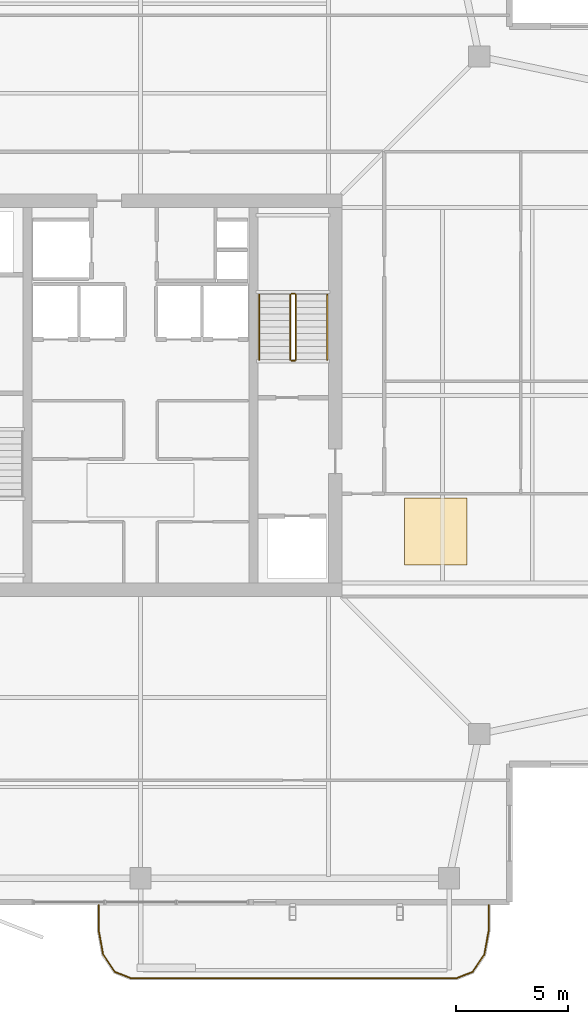
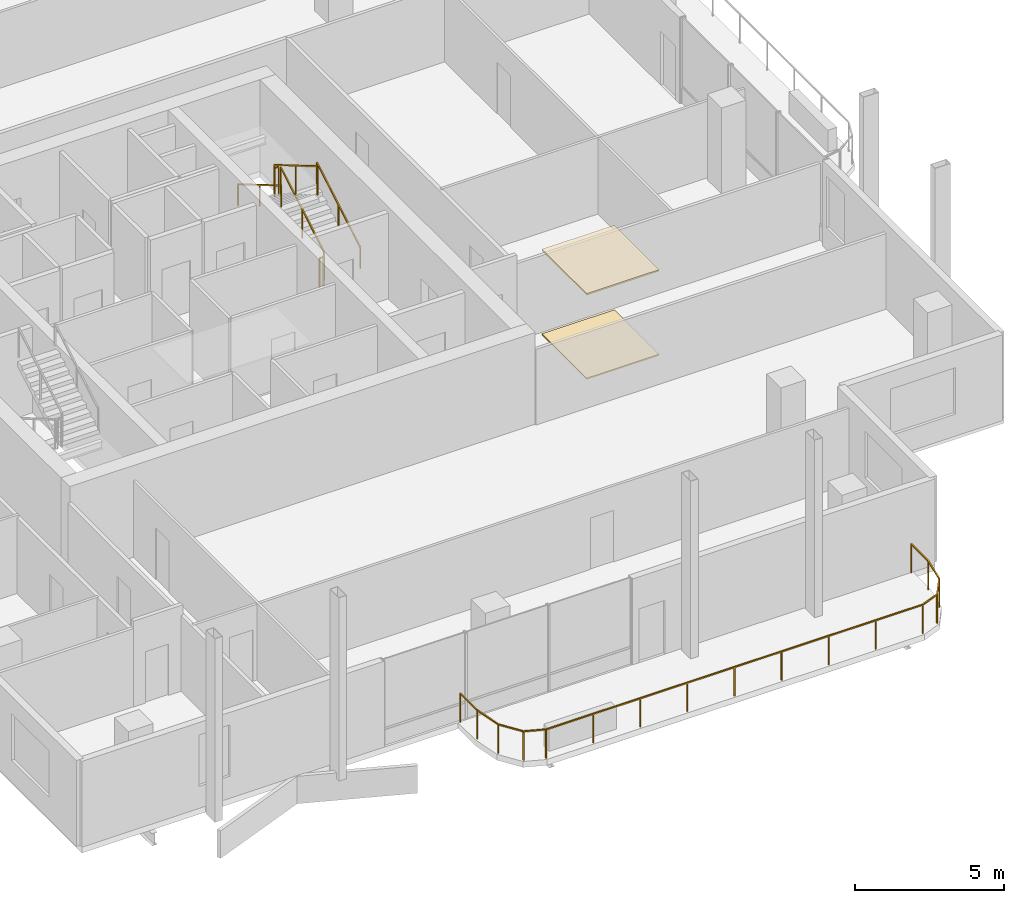
# One storey, part 19 of 20: 7 railings, 2 coverings.
"""IFC4 building model written with IfcOpenShell, lengths in metres."""

from ifc_helpers import new_model, si_unit, direction, frame, origin, origin_2d, place, context, subcontext, project, spatial, polyline, rectangle, outline, extrude, material, layer, layer_set, type_object, element, save


model = new_model("IFC4")

# Units and contexts
model_context = context("Model", 3, precision=1e-05, world=origin(), true_north=direction((0.0, 1.0)))
body_context = subcontext(model_context, "Body", "Model", "MODEL_VIEW")
ifc_project = project(units=[si_unit("LENGTHUNIT", "METRE"), si_unit("AREAUNIT", "SQUARE_METRE"), si_unit("VOLUMEUNIT", "CUBIC_METRE"), si_unit("PLANEANGLEUNIT", "RADIAN"), si_unit("MASSUNIT", "GRAM", prefix="KILO")], contexts=[model_context])

# Site, building, storey
site_placement = place(None, origin())
site = spatial("IfcSite", under=ifc_project, at=site_placement, CompositionType="ELEMENT")
building_placement = place(site_placement, origin())
building = spatial("IfcBuilding", under=site, at=building_placement, Name="Belovzor Exchange Tower", CompositionType="ELEMENT")
storey_placement = place(building_placement, frame((0.0, 0.0, 321.75)))
storey = spatial("IfcBuildingStorey", under=building, at=storey_placement, Name="L80", CompositionType="ELEMENT", Elevation=321.75)

# Railings
ifc_material_1 = material(Name="Stainless Steel Grade 304", Category="steel")
railing_type_1 = type_object("IfcRailingType", Name="Brushed Stainless Steel Stair Handrail 900", PredefinedType="HANDRAIL", material=ifc_material_1)
railing_1_placement = place(storey_placement, frame((37.14990234375, 30.39990234375, 0.17041015625)))
element("IfcRailing", 1, at=railing_1_placement, inside=storey, type_object=railing_type_1, Name="L80 ST-2 stair handrail 1", PredefinedType="HANDRAIL", context=body_context, shape_type="SweptSolid", body=[
    extrude(rectangle(XDim=0.048095703125, YDim=0.048095703125, at=origin_2d()), frame((0.0, 0.0, 0.8759765625), z_axis=(0.0, 0.862113265706, 0.506715617574), x_axis=(-1.0, 0.0, 0.0)), (0.0, 0.0, 1.0), 3.364013671875),
    extrude(rectangle(XDim=0.0419921875, YDim=0.0419921875, at=origin_2d()), origin(), (0.0, 0.0, 1.0), 0.851806640625),
    extrude(rectangle(XDim=0.0419921875, YDim=0.0419921875, at=origin_2d()), frame((0.0, 1.4501953125, 0.852294921875)), (0.0, 0.0, 1.0), 0.851806640625),
    extrude(rectangle(XDim=0.0419921875, YDim=0.0419921875, at=origin_2d()), frame((0.0, 2.900146484375, 1.70458984375)), (0.0, 0.0, 1.0), 0.851806640625),
])
railing_2_placement = place(storey_placement, frame((34.10009765625, 33.300048828125, 2.04541015625)))
element("IfcRailing", 2, at=railing_2_placement, inside=storey, type_object=railing_type_1, Name="L80 ST-2 stair handrail 2", PredefinedType="HANDRAIL", context=body_context, shape_type="SweptSolid", body=[
    extrude(rectangle(XDim=0.048095703125, YDim=0.048095703125, at=origin_2d()), frame((0.0, 0.0, 0.8759765625), z_axis=(0.0, -0.862113265706, 0.506715617574), x_axis=(1.0, 0.0, 0.0)), (0.0, 0.0, 1.0), 3.364013671875),
    extrude(rectangle(XDim=0.0419921875, YDim=0.0419921875, at=origin_2d()), origin(), (0.0, 0.0, 1.0), 0.851806640625),
    extrude(rectangle(XDim=0.0419921875, YDim=0.0419921875, at=origin_2d()), frame((0.0, -1.4501953125, 0.852294921875)), (0.0, 0.0, 1.0), 0.851806640625),
    extrude(rectangle(XDim=0.0419921875, YDim=0.0419921875, at=origin_2d()), frame((0.0, -2.900146484375, 1.70458984375)), (0.0, 0.0, 1.0), 0.851806640625),
])
ifc_material_2 = material(Name="Stainless Steel and Laminated Safety Glass", Category="steel")
railing_type_2 = type_object("IfcRailingType", Name="Laminated Glass & Stainless Steel Balcony Balustrade 1200", PredefinedType="BALUSTRADE", material=ifc_material_2)
railing_3_placement = place(storey_placement, frame((26.929931640625, 5.989990234375, 0.0)))
element("IfcRailing", 3, at=railing_3_placement, inside=storey, type_object=railing_type_2, Name="GR-1 Balcony Balustrade L80 South", PredefinedType="BALUSTRADE", context=body_context, shape_type="SweptSolid", body=[
    extrude(rectangle(XDim=0.048095703125, YDim=0.048095703125, at=origin_2d()), frame((0.0, 0.0, 1.17578125), z_axis=(0.0, -1.0, 0.0), x_axis=(1.0, 0.0, 0.0)), (0.0, 0.0, 1.0), 1.133056640625),
    extrude(rectangle(XDim=0.048095703125, YDim=0.048095703125, at=origin_2d()), frame((0.0, -1.133056640625, 1.17578125), z_axis=(0.180122719713, -0.983644145941, 0.0), x_axis=(0.983644145941, 0.180122719713, 0.0)), (0.0, 0.0, 1.0), 1.09375),
    extrude(rectangle(XDim=0.048095703125, YDim=0.048095703125, at=origin_2d()), frame((0.197021484375, -2.208984375, 1.17578125), z_axis=(0.56294695933, -0.826493025367, 0.0), x_axis=(0.826493025367, 0.56294695933, 0.0)), (0.0, 0.0, 1.0), 0.932861328125),
    extrude(rectangle(XDim=0.048095703125, YDim=0.048095703125, at=origin_2d()), frame((0.72216796875, -2.97998046875, 1.17578125), z_axis=(0.930766990125, -0.365612923861, 0.0), x_axis=(0.365612923861, 0.930766990125, 0.0)), (0.0, 0.0, 1.0), 0.765869140625),
    extrude(rectangle(XDim=0.048095703125, YDim=0.048095703125, at=origin_2d()), frame((1.43505859375, -3.260009765625, 1.17578125), z_axis=(1.0, 0.0, 0.0), x_axis=(0.0, 1.0, 0.0)), (0.0, 0.0, 1.0), 14.570068359375),
    extrude(rectangle(XDim=0.048095703125, YDim=0.048095703125, at=origin_2d()), frame((16.005126953125, -3.260009765625, 1.17578125), z_axis=(0.930766990125, 0.365612923861, 0.0), x_axis=(-0.365612923861, 0.930766990125, 0.0)), (0.0, 0.0, 1.0), 0.765869140625),
    extrude(rectangle(XDim=0.048095703125, YDim=0.048095703125, at=origin_2d()), frame((16.718017578125, -2.97998046875, 1.17578125), z_axis=(0.56294695933, 0.826493025367, 0.0), x_axis=(-0.826493025367, 0.56294695933, 0.0)), (0.0, 0.0, 1.0), 0.932861328125),
    extrude(rectangle(XDim=0.048095703125, YDim=0.048095703125, at=origin_2d()), frame((17.2431640625, -2.208984375, 1.17578125), z_axis=(0.180122719713, 0.983644145941, 0.0), x_axis=(-0.983644145941, 0.180122719713, 0.0)), (0.0, 0.0, 1.0), 1.09375),
    extrude(rectangle(XDim=0.048095703125, YDim=0.048095703125, at=origin_2d()), frame((17.440185546875, -1.133056640625, 1.17578125), z_axis=(0.0, 1.0, 0.0), x_axis=(-1.0, 0.0, 0.0)), (0.0, 0.0, 1.0), 1.133056640625),
    extrude(rectangle(XDim=0.0419921875, YDim=0.0419921875, at=origin_2d()), origin(), (0.0, 0.0, 1.0), 1.15185546875),
    extrude(rectangle(XDim=0.0419921875, YDim=0.0419921875, at=origin_2d()), frame((0.0, -1.133056640625, 0.0)), (0.0, 0.0, 1.0), 1.15185546875),
    extrude(rectangle(XDim=0.0419921875, YDim=0.0419921875, at=origin_2d()), frame((0.197021484375, -2.208984375, 0.0)), (0.0, 0.0, 1.0), 1.15185546875),
    extrude(rectangle(XDim=0.0419921875, YDim=0.0419921875, at=origin_2d()), frame((0.72216796875, -2.97998046875, 0.0)), (0.0, 0.0, 1.0), 1.15185546875),
    extrude(rectangle(XDim=0.0419921875, YDim=0.0419921875, at=origin_2d()), frame((1.43505859375, -3.260009765625, 0.0)), (0.0, 0.0, 1.0), 1.15185546875),
    extrude(rectangle(XDim=0.0419921875, YDim=0.0419921875, at=origin_2d()), frame((3.25634765625, -3.260009765625, 0.0)), (0.0, 0.0, 1.0), 1.15185546875),
    extrude(rectangle(XDim=0.0419921875, YDim=0.0419921875, at=origin_2d()), frame((5.07763671875, -3.260009765625, 0.0)), (0.0, 0.0, 1.0), 1.15185546875),
    extrude(rectangle(XDim=0.0419921875, YDim=0.0419921875, at=origin_2d()), frame((6.89892578125, -3.260009765625, 0.0)), (0.0, 0.0, 1.0), 1.15185546875),
    extrude(rectangle(XDim=0.0419921875, YDim=0.0419921875, at=origin_2d()), frame((8.72021484375, -3.260009765625, 0.0)), (0.0, 0.0, 1.0), 1.15185546875),
    extrude(rectangle(XDim=0.0419921875, YDim=0.0419921875, at=origin_2d()), frame((10.541259765625, -3.260009765625, 0.0)), (0.0, 0.0, 1.0), 1.15185546875),
    extrude(rectangle(XDim=0.0419921875, YDim=0.0419921875, at=origin_2d()), frame((12.362548828125, -3.260009765625, 0.0)), (0.0, 0.0, 1.0), 1.15185546875),
    extrude(rectangle(XDim=0.0419921875, YDim=0.0419921875, at=origin_2d()), frame((14.183837890625, -3.260009765625, 0.0)), (0.0, 0.0, 1.0), 1.15185546875),
    extrude(rectangle(XDim=0.0419921875, YDim=0.0419921875, at=origin_2d()), frame((16.005126953125, -3.260009765625, 0.0)), (0.0, 0.0, 1.0), 1.15185546875),
    extrude(rectangle(XDim=0.0419921875, YDim=0.0419921875, at=origin_2d()), frame((16.718017578125, -2.97998046875, 0.0)), (0.0, 0.0, 1.0), 1.15185546875),
    extrude(rectangle(XDim=0.0419921875, YDim=0.0419921875, at=origin_2d()), frame((17.2431640625, -2.208984375, 0.0)), (0.0, 0.0, 1.0), 1.15185546875),
    extrude(rectangle(XDim=0.0419921875, YDim=0.0419921875, at=origin_2d()), frame((17.440185546875, -1.133056640625, 0.0)), (0.0, 0.0, 1.0), 1.15185546875),
    extrude(rectangle(XDim=0.0419921875, YDim=0.0419921875, at=origin_2d()), frame((17.440185546875, 0.0, 0.0)), (0.0, 0.0, 1.0), 1.15185546875),
])
ifc_material_3 = material(Name="Steel S355", Category="steel")
railing_type_3 = type_object("IfcRailingType", Name="Painted Steel Stairwell Guardrail 1200", PredefinedType="GUARDRAIL", material=ifc_material_3)
railing_4_placement = place(storey_placement, frame((35.75, 30.39990234375, 0.17041015625)))
element("IfcRailing", 4, at=railing_4_placement, inside=storey, type_object=railing_type_3, Name="L80 ST-2 stair guard 1", PredefinedType="GUARDRAIL", context=body_context, shape_type="SweptSolid", body=[
    extrude(rectangle(XDim=0.048095703125, YDim=0.048095703125, at=origin_2d()), frame((0.0, 0.0, 1.17578125), z_axis=(0.0, 0.862113265706, 0.506715617574), x_axis=(-1.0, 0.0, 0.0)), (0.0, 0.0, 1.0), 3.364013671875),
    extrude(rectangle(XDim=0.0419921875, YDim=0.0419921875, at=origin_2d()), origin(), (0.0, 0.0, 1.0), 1.15185546875),
    extrude(rectangle(XDim=0.0419921875, YDim=0.0419921875, at=origin_2d()), frame((0.0, 1.4501953125, 0.852294921875)), (0.0, 0.0, 1.0), 1.15185546875),
    extrude(rectangle(XDim=0.0419921875, YDim=0.0419921875, at=origin_2d()), frame((0.0, 2.900146484375, 1.70458984375)), (0.0, 0.0, 1.0), 1.15185546875),
])
railing_5_placement = place(storey_placement, frame((35.699951171875, 33.35009765625, 1.875)))
element("IfcRailing", 5, at=railing_5_placement, inside=storey, type_object=railing_type_3, Name="L80 ST-2 stair guard 2", PredefinedType="GUARDRAIL", context=body_context, shape_type="SweptSolid", body=[
    extrude(rectangle(XDim=0.048095703125, YDim=0.048095703125, at=origin_2d()), frame((0.0, 0.0, 1.17578125), z_axis=(-1.0, 0.0, 0.0), x_axis=(0.0, -1.0, 0.0)), (0.0, 0.0, 1.0), 0.14990234375),
    extrude(rectangle(XDim=0.0419921875, YDim=0.0419921875, at=origin_2d()), origin(), (0.0, 0.0, 1.0), 1.15185546875),
    extrude(rectangle(XDim=0.0419921875, YDim=0.0419921875, at=origin_2d()), frame((-0.14990234375, 0.0, 0.0)), (0.0, 0.0, 1.0), 1.15185546875),
])
railing_6_placement = place(storey_placement, frame((35.5, 33.300048828125, 2.04541015625)))
element("IfcRailing", 6, at=railing_6_placement, inside=storey, type_object=railing_type_3, Name="L80 ST-2 stair guard 3", PredefinedType="GUARDRAIL", context=body_context, shape_type="SweptSolid", body=[
    extrude(rectangle(XDim=0.048095703125, YDim=0.048095703125, at=origin_2d()), frame((0.0, 0.0, 1.17578125), z_axis=(0.0, -0.862113265706, 0.506715617574), x_axis=(1.0, 0.0, 0.0)), (0.0, 0.0, 1.0), 3.364013671875),
    extrude(rectangle(XDim=0.0419921875, YDim=0.0419921875, at=origin_2d()), origin(), (0.0, 0.0, 1.0), 1.15185546875),
    extrude(rectangle(XDim=0.0419921875, YDim=0.0419921875, at=origin_2d()), frame((0.0, -1.4501953125, 0.852294921875)), (0.0, 0.0, 1.0), 1.15185546875),
    extrude(rectangle(XDim=0.0419921875, YDim=0.0419921875, at=origin_2d()), frame((0.0, -2.900146484375, 1.70458984375)), (0.0, 0.0, 1.0), 1.15185546875),
])
railing_7_placement = place(storey_placement, frame((35.699951171875, 30.35009765625, 0.0)))
element("IfcRailing", 7, at=railing_7_placement, inside=storey, type_object=railing_type_3, Name="L80 ST-2 stair guard 4", PredefinedType="GUARDRAIL", context=body_context, shape_type="SweptSolid", body=[
    extrude(rectangle(XDim=0.048095703125, YDim=0.048095703125, at=origin_2d()), frame((0.0, 0.0, 1.17578125), z_axis=(-1.0, 0.0, 0.0), x_axis=(0.0, -1.0, 0.0)), (0.0, 0.0, 1.0), 0.14990234375),
    extrude(rectangle(XDim=0.0419921875, YDim=0.0419921875, at=origin_2d()), origin(), (0.0, 0.0, 1.0), 1.15185546875),
    extrude(rectangle(XDim=0.0419921875, YDim=0.0419921875, at=origin_2d()), frame((-0.14990234375, 0.0, 0.0)), (0.0, 0.0, 1.0), 1.15185546875),
])

# Coverings
ifc_material_4 = material(Name="Perforated Powder-Coated Aluminium", Category="aluminium")
ifc_layer_1 = layer(ifc_material_4, 0.06005859375)
ifc_layer_set_1 = layer_set([ifc_layer_1], Name="Perforated Powder-Coated Aluminium")
covering_type_1 = type_object("IfcCoveringType", Name="Perforated Acoustic Metal Tile Suspended Ceiling 60", PredefinedType="CEILING", material=ifc_layer_set_1)
covering_1_placement = place(storey_placement, frame((0.0, 0.0, 3.449951171875)))
element("IfcCovering", 8, at=covering_1_placement, inside=storey, type_object=covering_type_1, Name="CLG-AC60 Suspended Ceiling CLG-L80-Z0", PredefinedType="CEILING", context=body_context, shape_type="SweptSolid", body=[
    extrude(outline(polyline([(40.60009765625, 21.199951171875), (43.39990234375, 21.199951171875), (43.39990234375, 24.199951171875), (40.60009765625, 24.199951171875), (40.60009765625, 21.199951171875)])), origin(), (0.0, 0.0, 1.0), 0.06005859375),
])
ifc_material_5 = material(Name="Polished Natural Granite Tile", Category="masonry")
ifc_layer_2 = layer(ifc_material_5, 0.050048828125)
ifc_layer_set_2 = layer_set([ifc_layer_2], Name="Polished Natural Granite Tile")
covering_type_2 = type_object("IfcCoveringType", Name="Polished Karelian Granite & Raised Access Floor Finish 50", PredefinedType="FLOORING", material=ifc_layer_set_2)
covering_2_placement = place(storey_placement, origin())
element("IfcCovering", 9, at=covering_2_placement, inside=storey, type_object=covering_type_2, Name="FLR-GR50 Floor Finish FLR-L80-Z0", PredefinedType="FLOORING", context=body_context, shape_type="SweptSolid", body=[
    extrude(outline(polyline([(40.60009765625, 21.199951171875), (43.39990234375, 21.199951171875), (43.39990234375, 24.199951171875), (40.60009765625, 24.199951171875), (40.60009765625, 21.199951171875)])), origin(), (0.0, 0.0, 1.0), 0.050048828125),
])

save(model, "model.ifc")
